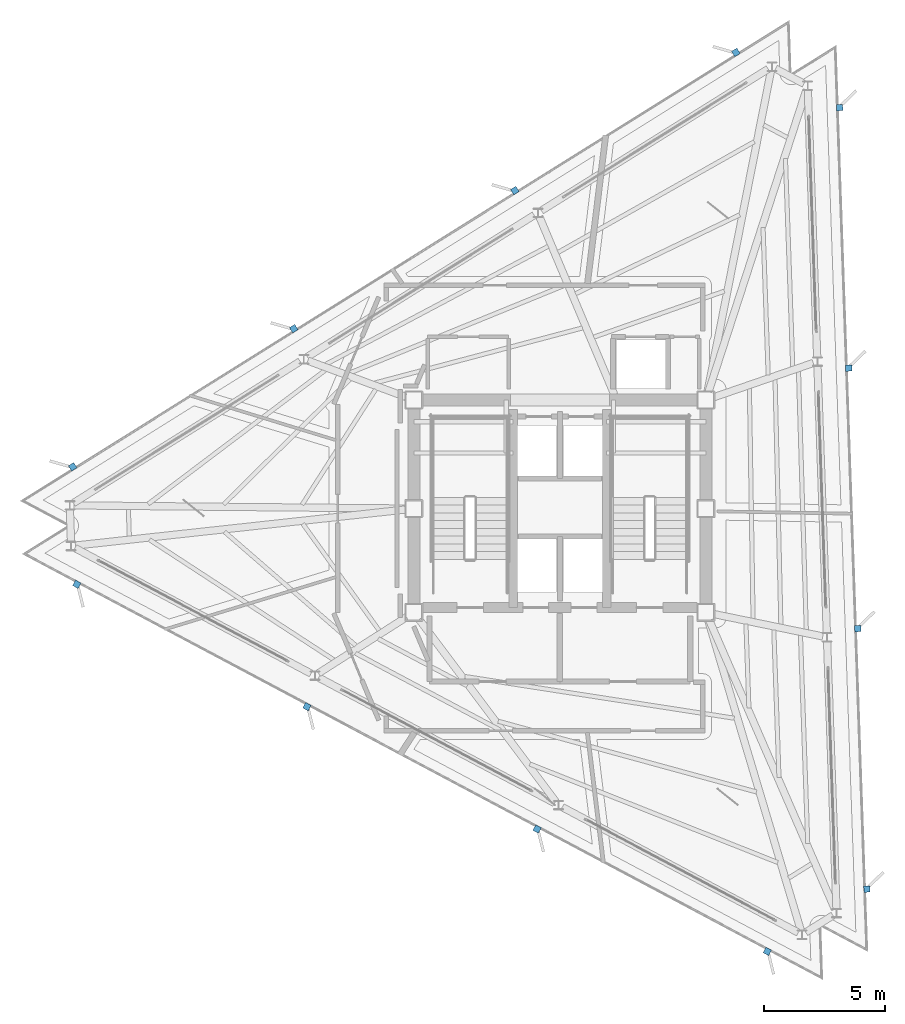
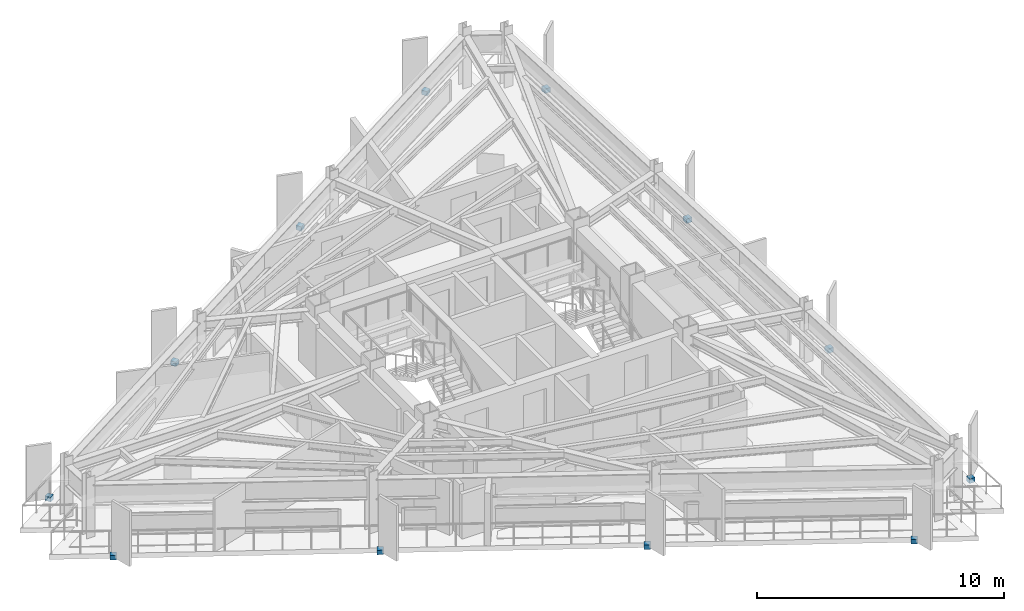
# One storey, part 10 of 13: 12 discrete accessories.
"""IFC4 building model written with IfcOpenShell, lengths in metres."""

from ifc_helpers import new_model, si_unit, direction, frame, origin, origin_2d, place, context, subcontext, project, spatial, rectangle, extrude, material, layer, layer_set, type_object, element, save


model = new_model("IFC4")

# Units and contexts
model_context = context("Model", 3, precision=1e-05, world=origin(), true_north=direction((0.0, 1.0)))
body_context = subcontext(model_context, "Body", "Model", "MODEL_VIEW")
ifc_project = project(units=[si_unit("LENGTHUNIT", "METRE"), si_unit("AREAUNIT", "SQUARE_METRE"), si_unit("VOLUMEUNIT", "CUBIC_METRE"), si_unit("PLANEANGLEUNIT", "RADIAN"), si_unit("MASSUNIT", "GRAM", prefix="KILO")], contexts=[model_context])

# Site, building, storey
site_placement = place(None, origin())
site = spatial("IfcSite", under=ifc_project, at=site_placement, CompositionType="ELEMENT")
building_placement = place(site_placement, origin())
building = spatial("IfcBuilding", under=site, at=building_placement, Name="Rocaltana Carrier Exchange", CompositionType="ELEMENT")
storey_placement = place(building_placement, frame((0.0, 0.0, 211.840087890625)))
storey = spatial("IfcBuildingStorey", under=building, at=storey_placement, Name="L67", CompositionType="ELEMENT", Elevation=211.840087890625)

# Discrete accessories
ifc_material = material(Name="Brushed Architectural Stainless Metal", Category="steel")
ifc_layer = layer(ifc_material, 0.219970703125)
ifc_layer_set = layer_set([ifc_layer], Name="Brushed Architectural Stainless Metal")
discrete_accessory_type = type_object("IfcDiscreteAccessoryType", Name="Stainless Fin Slab-Edge Bracket 260x260x220", PredefinedType="BRACKET", material=ifc_layer_set)
for number, where, z_axis, x_axis, name in (
    (1, (12.722412109375, -15.765625, -0.2099609375), (0.0, 0.0, 1.0), (-0.034899496703, 0.999390827019, 0.0), "L67 Sandstone Fin Edge Bracket F1-01"),
    (2, (12.345458984375, -4.97216796875, -0.2099609375), (0.0, 0.0, 1.0), (-0.034899496703, 0.999390827019, 0.0), "L67 Sandstone Fin Edge Bracket F1-02"),
    (3, (11.968505859375, 5.8212890625, -0.2099609375), (0.0, 0.0, 1.0), (-0.034899496703, 0.999390827019, 0.0), "L67 Sandstone Fin Edge Bracket F1-03"),
    (4, (11.591552734375, 16.61474609375, -0.2099609375), (0.0, 0.0, 1.0), (-0.034899496703, 0.999390827019, 0.0), "L67 Sandstone Fin Edge Bracket F1-04"),
    (5, (7.292236328125, 18.900634765625, -0.2099609375), (0.0, 0.0, 1.0), (-0.848048096156, -0.529919264233, 0.0), "L67 Sandstone Fin Edge Bracket F2-01"),
    (6, (-1.86669921875, 13.177490234375, -0.2099609375), (0.0, 0.0, 1.0), (-0.848048096156, -0.529919264233, 0.0), "L67 Sandstone Fin Edge Bracket F2-02"),
    (7, (-11.025634765625, 7.454345703125, -0.2099609375), (0.0, 0.0, 1.0), (-0.848048096156, -0.529919264233, 0.0), "L67 Sandstone Fin Edge Bracket F2-03"),
    (8, (-20.1845703125, 1.731201171875, -0.2099609375), (0.0, 0.0, 1.0), (-0.848048096156, -0.529919264233, 0.0), "L67 Sandstone Fin Edge Bracket F2-04"),
    (9, (-20.0146484375, -3.135009765625, -0.2099609375), (0.0, 0.0, 1.0), (0.882947592859, -0.469471562786, 0.0), "L67 Sandstone Fin Edge Bracket F3-01"),
    (10, (-10.478759765625, -8.205322265625, -0.2099609375), (0.0, 0.0, 1.0), (0.882947592859, -0.469471562786, 0.0), "L67 Sandstone Fin Edge Bracket F3-02"),
    (11, (-0.94287109375, -13.275634765625, -0.2099609375), (0.0, 0.0, 1.0), (0.882947592859, -0.469471562786, 0.0), "L67 Sandstone Fin Edge Bracket F3-03"),
    (12, (8.593017578125, -18.345947265625, -0.2099609375), (0.0, 0.0, 1.0), (0.882947592859, -0.469471562786, 0.0), "L67 Sandstone Fin Edge Bracket F3-04"),
):
    element("IfcDiscreteAccessory", number, at=place(storey_placement, frame(where, z_axis=z_axis, x_axis=x_axis)), inside=storey, type_object=discrete_accessory_type, Name=name, PredefinedType="BRACKET", context=body_context, shape_type="SweptSolid", body=[
        extrude(rectangle(XDim=0.260009765625, YDim=0.260009765625, at=origin_2d()), origin(), (0.0, 0.0, 1.0), 0.219970703125),
    ])

save(model, "model.ifc")
